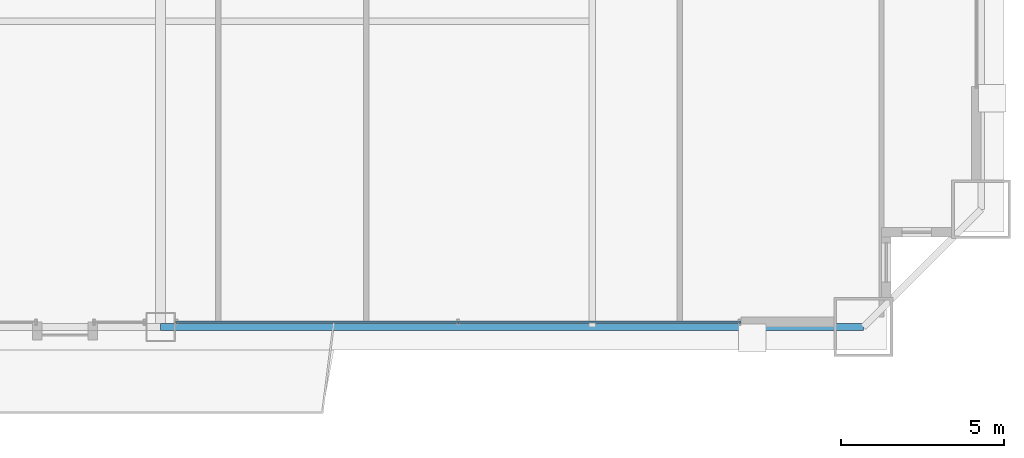
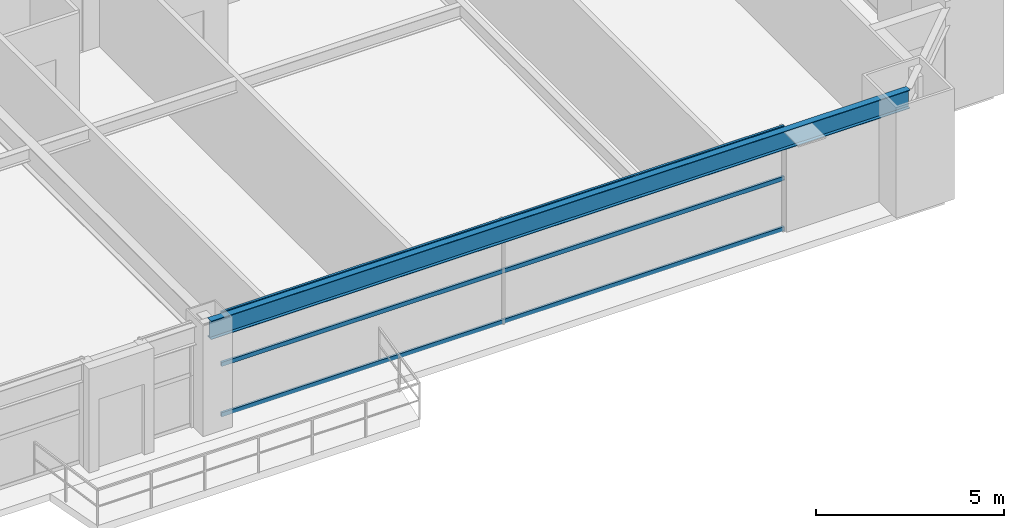
# One storey, part 15 of 43: 3 members, 1 beam, 1 element without a shape of its own.
"""IFC4 building model written with IfcOpenShell, lengths in metres."""

from ifc_helpers import new_model, si_unit, direction, frame, origin, origin_2d, place, context, subcontext, project, spatial, hollow_rectangle, i_section, extrude, source, transform, mapped, material, layer, layer_set, material_profile, profile_set, type_object, element, aggregate, save


model = new_model("IFC4")

# Units and contexts
model_context = context("Model", 3, precision=1e-05, world=origin(), true_north=direction((0.0, 1.0)))
body_context = subcontext(model_context, "Body", "Model", "MODEL_VIEW")
ifc_project = project(units=[si_unit("LENGTHUNIT", "METRE"), si_unit("AREAUNIT", "SQUARE_METRE"), si_unit("VOLUMEUNIT", "CUBIC_METRE"), si_unit("PLANEANGLEUNIT", "RADIAN"), si_unit("MASSUNIT", "GRAM", prefix="KILO"), si_unit("THERMODYNAMICTEMPERATUREUNIT", "KELVIN"), si_unit("POWERUNIT", "WATT")], contexts=[model_context])

# Site, building, storey
site_placement = place(None, origin())
site = spatial("IfcSite", under=ifc_project, at=site_placement, CompositionType="ELEMENT")
building_placement = place(site_placement, origin())
building = spatial("IfcBuilding", under=site, at=building_placement, Name="Yuzanri Waterfront Tower", CompositionType="ELEMENT")
storey_placement = place(building_placement, frame((0.0, 0.0, 71.199951171875)))
storey = spatial("IfcBuildingStorey", under=building, at=storey_placement, Name="L18", CompositionType="ELEMENT", Elevation=71.199951171875)

# Beam
ifc_material_1 = material(Name="Steel Q355B", Category="steel")
ifc_material_profile_1 = material_profile(ifc_material_1, i_section(OverallWidth=0.199951171875, OverallDepth=0.60009765625, WebThickness=0.010986328125, FlangeThickness=0.01708984375, at=origin_2d()), Name="HN 600x200x11x17")
ifc_profile_set_1 = profile_set([ifc_material_profile_1], Name="Steel Q355B")
beam_type = type_object("IfcBeamType", Name="Perimeter Spandrel Q355B HN 600x200", PredefinedType="SPANDREL", material=ifc_profile_set_1)
shared_shape_1 = source(origin(), body_context, "Body", "SweptSolid", [
    extrude(i_section(OverallWidth=0.199951171875, OverallDepth=0.60009765625, WebThickness=0.010986328125, FlangeThickness=0.01708984375, at=origin_2d()), origin(), (0.0, 0.0, 1.0), 21.5),
])
beam_placement = place(storey_placement, frame((37.0, 0.699951171875, 3.080078125), z_axis=(1.0, 0.0, 0.0), x_axis=(0.0, 1.0, 0.0)))
element("IfcBeam", 1, at=beam_placement, inside=storey, type_object=beam_type, Name="L18 Perimeter Spandrel S2-S3", PredefinedType="SPANDREL", context=body_context, shape_type="MappedRepresentation", body=[
    mapped(shared_shape_1, transform((0.0, 0.0, 0.0), scale=1.0)),
])

# Curtain wall, members
ifc_material_2 = material(Name="Anodized Architectural Bronze", Category="metal")
ifc_layer = layer(ifc_material_2, 0.159912109375)
ifc_layer_set = layer_set([ifc_layer], Name="Anodized Architectural Bronze")
curtain_wall_type = type_object("IfcCurtainWallType", Name="Anodized Bronze Hotel Lower-Tier Recessed Unitized Curtain Wall 8100", PredefinedType="NOTDEFINED", material=ifc_layer_set)
curtain_wall_placement = place(storey_placement, origin())
curtain_wall = element("IfcCurtainWall", 2, at=curtain_wall_placement, inside=storey, type_object=curtain_wall_type, Name="L18 Curtain Wall CW-L18-SR", PredefinedType="NOTDEFINED")
ifc_material_3 = material(Name="Anodized Architectural Bronze", Category="metal")
ifc_material_profile_2 = material_profile(ifc_material_3, hollow_rectangle(XDim=0.070068359375, YDim=0.135009765625, WallThickness=0.00341796875, at=origin_2d()), Name="CWT 70x135")
ifc_profile_set_2 = profile_set([ifc_material_profile_2], Name="Anodized Architectural Bronze")
member_type = type_object("IfcMemberType", Name="Anodized Bronze Standard Curtain-Wall Transom 70x135", PredefinedType="USERDEFINED", material=ifc_profile_set_2)
shared_shape_2 = source(origin(), body_context, "Body", "SweptSolid", [
    extrude(hollow_rectangle(XDim=0.070068359375, YDim=0.135009765625, WallThickness=0.00341796875, at=origin_2d()), origin(), (0.0, 0.0, 1.0), 17.300048828125),
])
member_1_placement = place(storey_placement, frame((37.449951171875, 0.85009765625, 0.050048828125), z_axis=(1.0, 0.0, 0.0), x_axis=(0.0, 1.0, 0.0)))
member_1 = element("IfcMember", 3, at=member_1_placement, type_object=member_type, Name="CW-L18-SR Transom 1", ObjectType="TRANSOM", PredefinedType="USERDEFINED", context=body_context, shape_type="MappedRepresentation", body=[
    mapped(shared_shape_2, transform((0.0, 0.0, 0.0), scale=1.0)),
])
member_2_placement = place(storey_placement, frame((37.449951171875, 0.85009765625, 1.68994140625), z_axis=(1.0, 0.0, 0.0), x_axis=(0.0, 1.0, 0.0)))
member_2 = element("IfcMember", 4, at=member_2_placement, type_object=member_type, Name="CW-L18-SR Transom 2", ObjectType="TRANSOM", PredefinedType="USERDEFINED", context=body_context, shape_type="MappedRepresentation", body=[
    mapped(shared_shape_2, transform((0.0, 0.0, 0.0), scale=1.0)),
])
member_3_placement = place(storey_placement, frame((37.449951171875, 0.85009765625, 3.330078125), z_axis=(1.0, 0.0, 0.0), x_axis=(0.0, 1.0, 0.0)))
member_3 = element("IfcMember", 5, at=member_3_placement, type_object=member_type, Name="CW-L18-SR Transom 3", ObjectType="TRANSOM", PredefinedType="USERDEFINED", context=body_context, shape_type="MappedRepresentation", body=[
    mapped(shared_shape_2, transform((0.0, 0.0, 0.0), scale=1.0)),
])
aggregate(curtain_wall, [member_1, member_2, member_3])

save(model, "model.ifc")
